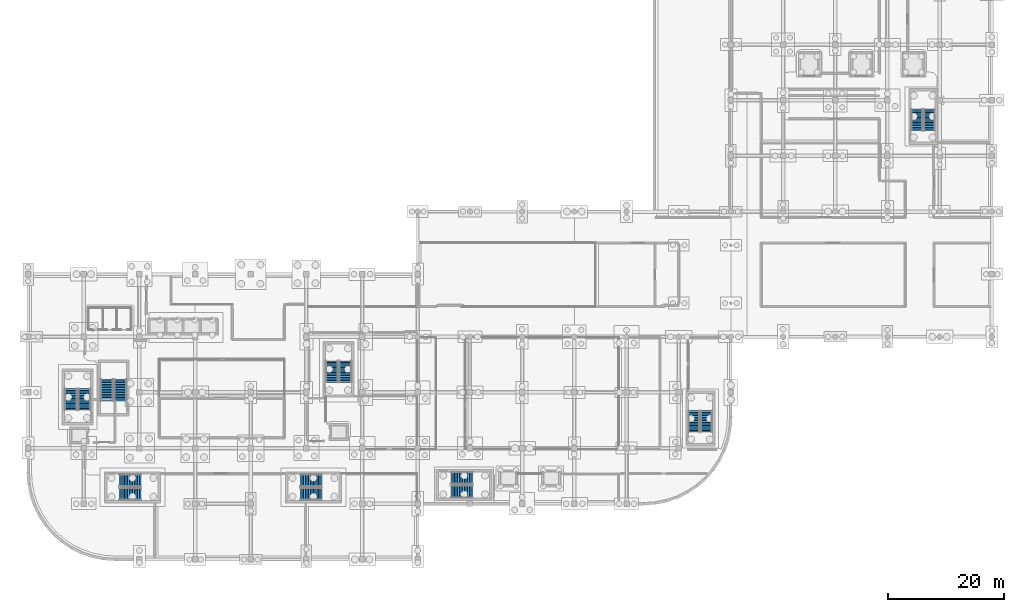
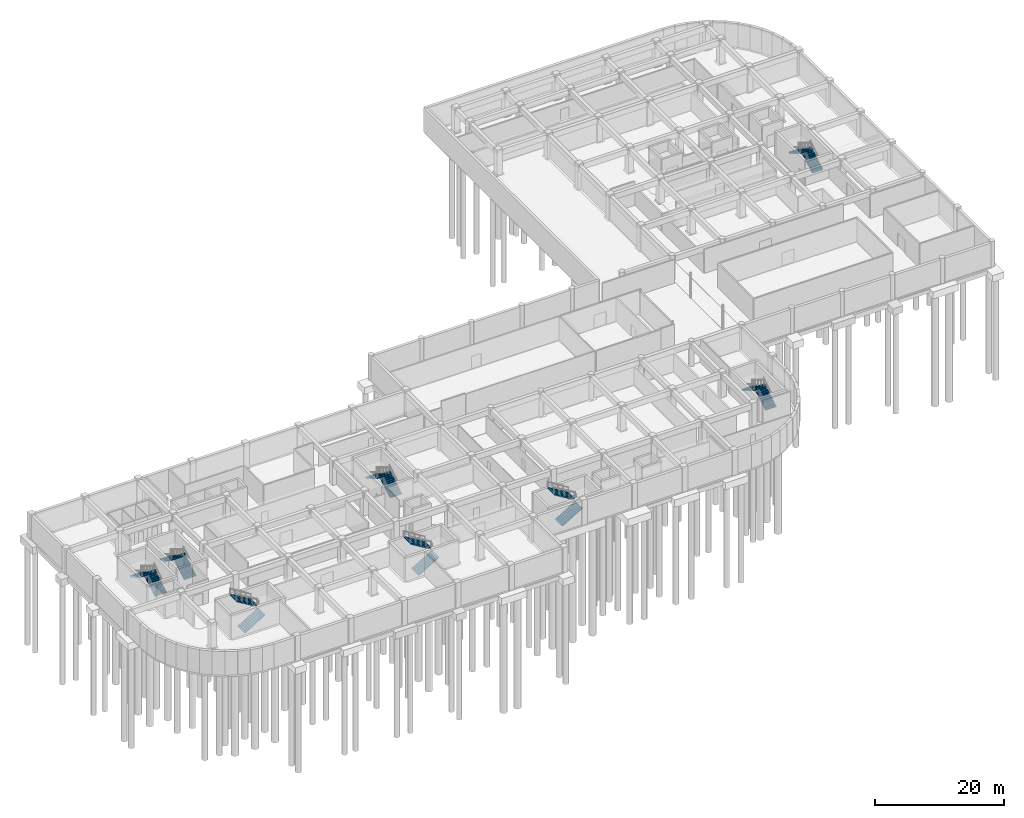
# One storey, part 20 of 47: 16 stair flights, 8 elements without a shape of their own.
"""IFC4 building model written with IfcOpenShell, lengths in metres."""

import ifcopenshell
import ifcopenshell.guid

model = None  # the IFC model being written
_history = None  # IfcOwnerHistory: only IFC2X3 demands one
_inside = {}  # id of a spatial element -> (the spatial element, [elements in it])
_under = {}  # id of a project, library or spatial element -> (it, [spatial elements below it])
_declared = {}  # id of a project -> (the project, [libraries it declares])
_typed = {}  # id of a type object -> (the type object, [elements of that type])
_made_of = {}  # id of a material, layer set ... -> (it, [elements and type objects made of it])


def new_model(schema):
    """Start an empty IFC model of exactly this schema.

    Asked for "IFC4X3", IfcOpenShell would pick the latest addendum, in which some entities
    have other attributes; the version numbers below select the first issue.
    IFC2X3 requires an IfcOwnerHistory on every rooted entity: one is made here for all.
    """
    global model, _history
    if schema == "IFC4X3":
        model = ifcopenshell.file(schema_version=(4, 3, 0, 0))
    else:
        model = ifcopenshell.file(schema=schema)
    _inside.clear()
    _under.clear()
    _declared.clear()
    _typed.clear()
    _made_of.clear()
    _history = None
    if model.schema == "IFC2X3":
        org = make("IfcOrganization", Name="unknown")
        user = make(
            "IfcPersonAndOrganization",
            ThePerson=make("IfcPerson", FamilyName="unknown"),
            TheOrganization=org,
        )
        app = make(
            "IfcApplication",
            ApplicationDeveloper=org,
            Version="unknown",
            ApplicationFullName="unknown",
            ApplicationIdentifier="unknown",
        )
        _history = make(
            "IfcOwnerHistory",
            OwningUser=user,
            OwningApplication=app,
            ChangeAction="ADDED",
            CreationDate=0,
        )
    return model


def make(cls, **values):
    """One entity of the class cls with the attributes given. An attribute that is None is left unset."""
    return model.create_entity(
        cls, **{name: value for name, value in values.items() if value is not None}
    )


def rooted(cls, **values):
    """An entity with a GlobalId (a new one), such as an element, a storey or a relation."""
    return make(cls, GlobalId=ifcopenshell.guid.new(), OwnerHistory=_history, **values)


def si_unit(unit_type, name, prefix=None):
    """IfcSIUnit, for example si_unit("LENGTHUNIT", "METRE", prefix="MILLI")."""
    return make("IfcSIUnit", UnitType=unit_type, Prefix=prefix, Name=name)


def assignment(units):
    """IfcUnitAssignment: the units of a project."""
    return None if units is None else make("IfcUnitAssignment", Units=units)


def point(xyz):
    """IfcCartesianPoint."""
    return None if xyz is None else make("IfcCartesianPoint", Coordinates=xyz)


def direction(xyz):
    """IfcDirection."""
    return None if xyz is None else make("IfcDirection", DirectionRatios=xyz)


def frame(location, z_axis=None, x_axis=None):
    """IfcAxis2Placement3D, a coordinate frame: its origin and axes. An axis left out is left unset."""
    return make(
        "IfcAxis2Placement3D",
        Location=point(location),
        Axis=direction(z_axis),
        RefDirection=direction(x_axis),
    )


def origin():
    """The frame at (0, 0, 0) with its axes left unset."""
    return frame((0.0, 0.0, 0.0))


def place(relative_to, where):
    """IfcLocalPlacement: puts the frame where relative to a parent placement (None: the world)."""
    return make(
        "IfcLocalPlacement", PlacementRelTo=relative_to, RelativePlacement=where
    )


def context(
    kind, dimensions, precision=None, world=None, true_north=None, identifier=None
):
    """IfcGeometricRepresentationContext, for example the 3D "Model" context."""
    return make(
        "IfcGeometricRepresentationContext",
        ContextIdentifier=identifier,
        ContextType=kind,
        CoordinateSpaceDimension=dimensions,
        Precision=precision,
        WorldCoordinateSystem=world,
        TrueNorth=true_north,
    )


def subcontext(parent, identifier, kind, view, scale=None):
    """IfcGeometricRepresentationSubContext, for example "Body" below "Model"."""
    return make(
        "IfcGeometricRepresentationSubContext",
        ContextIdentifier=identifier,
        ContextType=kind,
        ParentContext=parent,
        TargetScale=scale,
        TargetView=view,
    )


def project(units=None, contexts=None):
    """IfcProject with its units and contexts."""
    return rooted(
        "IfcProject",
        Name="project",
        RepresentationContexts=contexts,
        UnitsInContext=assignment(units),
    )


def spatial(cls, under=None, at=None, **own):
    """A site, building, storey or space (cls), placed at a placement, below another one or the project."""
    s = rooted(cls, ObjectPlacement=at, **own)
    if under is not None:
        _under.setdefault(under.id(), (under, []))[1].append(s)
    return s


def polyline(points):
    """IfcPolyline through the points."""
    return make("IfcPolyline", Points=[point(p) for p in points])


def outline(outer, holes=None, kind="AREA"):
    """IfcArbitraryClosedProfileDef: a profile drawn as a closed curve; with holes, ...WithVoids."""
    if holes is None:
        return make("IfcArbitraryClosedProfileDef", ProfileType=kind, OuterCurve=outer)
    return make(
        "IfcArbitraryProfileDefWithVoids",
        ProfileType=kind,
        OuterCurve=outer,
        InnerCurves=holes,
    )


def extrude(swept, where, along, depth):
    """IfcExtrudedAreaSolid: the profile swept, set in the frame where, extruded along a direction by depth."""
    return make(
        "IfcExtrudedAreaSolid",
        SweptArea=swept,
        Position=where,
        ExtrudedDirection=direction(along),
        Depth=depth,
    )


def shape(context_of_items, identifier, shape_type, items):
    """IfcShapeRepresentation: the items that make up one representation, for example the "Body"."""
    return make(
        "IfcShapeRepresentation",
        ContextOfItems=context_of_items,
        RepresentationIdentifier=identifier,
        RepresentationType=shape_type,
        Items=items,
    )


def material(Name=None, Category=None):
    """IfcMaterial."""
    return make("IfcMaterial", Name=Name, Category=Category)


def layer(
    of_material, thickness, ventilated=None, Name=None, Category=None, Priority=None
):
    """IfcMaterialLayer: one layer of a wall or slab, of a material (None: an air gap)."""
    return make(
        "IfcMaterialLayer",
        Material=of_material,
        LayerThickness=thickness,
        IsVentilated=ventilated,
        Name=Name,
        Category=Category,
        Priority=Priority,
    )


def layer_set(layers, Name=None):
    """IfcMaterialLayerSet."""
    return make("IfcMaterialLayerSet", MaterialLayers=layers, LayerSetName=Name)


def made_of(thing, what):
    """Note that an element or type object is made of a material, layer set ...; save() writes the relation."""
    if what is not None:
        _made_of.setdefault(what.id(), (what, []))[1].append(thing)
    return thing


def type_object(cls, material=None, **own):
    """A type object (cls), such as IfcWallType, which elements share."""
    return made_of(rooted(cls, **own), material)


def element(
    cls,
    number,
    at=None,
    inside=None,
    cuts=None,
    type_object=None,
    material=None,
    context=None,
    identifier="Body",
    shape_type=None,
    held_by="IfcProductDefinitionShape",
    body=None,
    shapes=None,
    **own,
):
    """One element of the class cls, such as IfcWall. Its Tag is "e" and its number.

    at: its placement. inside: the storey or other place that contains it. cuts: it is an
    opening in that element (IfcRelVoidsElement). A single representation is given by context,
    identifier, shape_type and body (its items); several are given by shapes. held_by: the class
    of the entity that holds the representations. save() writes the other relations.
    """
    e = rooted(cls, Tag="e%d" % number, ObjectPlacement=at, **own)
    if body is not None:
        shapes = [shape(context, identifier, shape_type, body)]
    if shapes is not None:
        e.Representation = make(held_by, Representations=shapes)
    if inside is not None:
        _inside.setdefault(inside.id(), (inside, []))[1].append(e)
    if cuts is not None:
        rooted(
            "IfcRelVoidsElement", RelatingBuildingElement=cuts, RelatedOpeningElement=e
        )
    if type_object is not None:
        _typed.setdefault(type_object.id(), (type_object, []))[1].append(e)
    return made_of(e, material)


def aggregate(whole, parts):
    """IfcRelAggregates: a whole, such as a stair, and the parts it consists of."""
    return rooted("IfcRelAggregates", RelatingObject=whole, RelatedObjects=parts)


def save(model, path):
    """Write the relations noted so far, then the file.

    IfcRelAggregates (storeys below a building ...), IfcRelContainedInSpatialStructure (elements
    in a storey), IfcRelDefinesByType, IfcRelAssociatesMaterial and IfcRelDeclares: one each for
    every whole, place, type object, material and project.
    """
    for whole, parts in _under.values():
        aggregate(whole, parts)
    for where, things in _inside.values():
        rooted(
            "IfcRelContainedInSpatialStructure",
            RelatedElements=things,
            RelatingStructure=where,
        )
    for kind, things in _typed.values():
        rooted("IfcRelDefinesByType", RelatedObjects=things, RelatingType=kind)
    for what, things in _made_of.values():
        rooted("IfcRelAssociatesMaterial", RelatedObjects=things, RelatingMaterial=what)
    for by, libraries in _declared.values():
        rooted("IfcRelDeclares", RelatingContext=by, RelatedDefinitions=libraries)
    model.write(path)


model = new_model("IFC4")

# Units and contexts
model_context = context("Model", 3, precision=1e-05, world=origin(), true_north=direction((0.0, 1.0)))
body_context = subcontext(model_context, "Body", "Model", "MODEL_VIEW")
ifc_project = project(units=[si_unit("LENGTHUNIT", "METRE"), si_unit("AREAUNIT", "SQUARE_METRE"), si_unit("VOLUMEUNIT", "CUBIC_METRE"), si_unit("PLANEANGLEUNIT", "RADIAN"), si_unit("MASSUNIT", "GRAM", prefix="KILO")], contexts=[model_context])

# Site, building, storey
site_placement = place(None, origin())
site = spatial("IfcSite", under=ifc_project, at=site_placement, CompositionType="ELEMENT")
building_placement = place(site_placement, origin())
building = spatial("IfcBuilding", under=site, at=building_placement, Name="Cendralis Terraced Arcade", CompositionType="ELEMENT")
storey_placement = place(building_placement, frame((0.0, 0.0, -4.800048828125)))
storey = spatial("IfcBuildingStorey", under=building, at=storey_placement, Name="B1", CompositionType="ELEMENT", Elevation=-4.800048828125)

# Stair, stair flights
ifc_material = material(Name="Concrete f'c 35 MPa", Category="concrete")
stair_type_1 = type_object("IfcStairType", Name="STR-W195-H480", PredefinedType="HALF_TURN_STAIR", material=ifc_material)
stair_1_placement = place(storey_placement, origin())
stair_1 = element("IfcStair", 1, at=stair_1_placement, inside=storey, type_object=stair_type_1, Name="B1 Protected Exit Stair ST-06", PredefinedType="HALF_TURN_STAIR")
ifc_layer_1 = layer(ifc_material, 0.159912109375, Name="FLT-W195-H480")
ifc_layer_set_1 = layer_set([ifc_layer_1], Name="Concrete f'c 35 MPa")
stair_flight_type_1 = type_object("IfcStairFlightType", Name="FLT-W195-H480", PredefinedType="STRAIGHT", material=ifc_layer_set_1)
stair_flight_1_placement = place(storey_placement, frame((155.425048828125, 73.949951171875, 0.0), z_axis=(0.0, 0.0, 1.0), x_axis=(0.0, 1.0, 0.0)))
stair_flight_1 = element("IfcStairFlight", 2, at=stair_flight_1_placement, type_object=stair_flight_type_1, Name="ST-06 flight 1", NumberOfRisers=14, NumberOfTreads=13, PredefinedType="STRAIGHT", RiserHeight=0.171428571, TreadLength=0.285, context=body_context, shape_type="SweptSolid", body=[
    extrude(outline(polyline([(0.0, 0.0), (0.0, 0.17138671875), (0.284912109375, 0.17138671875), (0.284912109375, 0.3427734375), (0.570068359375, 0.3427734375), (0.570068359375, 0.514404296875), (0.85498046875, 0.514404296875), (0.85498046875, 0.685791015625), (1.139892578125, 0.685791015625), (1.139892578125, 0.857177734375), (1.425048828125, 0.857177734375), (1.425048828125, 1.028564453125), (1.7099609375, 1.028564453125), (1.7099609375, 1.199951171875), (1.9951171875, 1.199951171875), (1.9951171875, 1.371337890625), (2.280029296875, 1.371337890625), (2.280029296875, 1.54296875), (2.56494140625, 1.54296875), (2.56494140625, 1.71435546875), (2.85009765625, 1.71435546875), (2.85009765625, 1.8857421875), (3.135009765625, 1.8857421875), (3.135009765625, 2.05712890625), (3.419921875, 2.05712890625), (3.419921875, 2.228515625), (3.705078125, 2.228515625), (3.705078125, 2.39990234375), (3.705078125, 2.0537109375), (0.290771484375, 0.0), (0.0, 0.0)])), frame((0.0, 0.97509765625, 0.0), z_axis=(0.0, -1.0, 0.0), x_axis=(1.0, 0.0, 0.0)), (0.0, 0.0, 1.0), 1.949951171875),
])
stair_flight_2_placement = place(storey_placement, frame((153.27490234375, 77.655029296875, 2.400146484375), z_axis=(0.0, 0.0, 1.0), x_axis=(0.0, -1.0, 0.0)))
stair_flight_2 = element("IfcStairFlight", 3, at=stair_flight_2_placement, type_object=stair_flight_type_1, Name="ST-06 flight 2", NumberOfRisers=14, NumberOfTreads=13, PredefinedType="STRAIGHT", RiserHeight=0.171428571, TreadLength=0.285, context=body_context, shape_type="SweptSolid", body=[
    extrude(outline(polyline([(0.0, 0.0), (0.0, 0.17138671875), (0.284912109375, 0.17138671875), (0.284912109375, 0.3427734375), (0.570068359375, 0.3427734375), (0.570068359375, 0.514404296875), (0.85498046875, 0.514404296875), (0.85498046875, 0.685791015625), (1.139892578125, 0.685791015625), (1.139892578125, 0.857177734375), (1.425048828125, 0.857177734375), (1.425048828125, 1.028564453125), (1.7099609375, 1.028564453125), (1.7099609375, 1.199951171875), (1.9951171875, 1.199951171875), (1.9951171875, 1.371337890625), (2.280029296875, 1.371337890625), (2.280029296875, 1.54296875), (2.56494140625, 1.54296875), (2.56494140625, 1.71435546875), (2.85009765625, 1.71435546875), (2.85009765625, 1.8857421875), (3.135009765625, 1.8857421875), (3.135009765625, 2.05712890625), (3.419921875, 2.05712890625), (3.419921875, 2.228515625), (3.705078125, 2.228515625), (3.705078125, 2.39990234375), (3.705078125, 2.0537109375), (0.290771484375, 0.0), (0.0, 0.0)])), frame((0.0, 0.97509765625, 0.0), z_axis=(0.0, -1.0, 0.0), x_axis=(1.0, 0.0, 0.0)), (0.0, 0.0, 1.0), 1.949951171875),
])
aggregate(stair_1, [stair_flight_1, stair_flight_2])

stair_2_placement = place(storey_placement, origin())
stair_2 = element("IfcStair", 4, at=stair_2_placement, inside=storey, type_object=stair_type_1, Name="B1 Protected Exit Stair ST-09", PredefinedType="HALF_TURN_STAIR")
stair_flight_3_placement = place(storey_placement, frame((117.02490234375, 21.949951171875, 0.0), z_axis=(0.0, 0.0, 1.0), x_axis=(0.0, 1.0, 0.0)))
stair_flight_3 = element("IfcStairFlight", 5, at=stair_flight_3_placement, type_object=stair_flight_type_1, Name="ST-09 flight 1", NumberOfRisers=14, NumberOfTreads=13, PredefinedType="STRAIGHT", RiserHeight=0.171428571, TreadLength=0.285, context=body_context, shape_type="SweptSolid", body=[
    extrude(outline(polyline([(0.0, 0.0), (0.0, 0.17138671875), (0.284912109375, 0.17138671875), (0.284912109375, 0.3427734375), (0.570068359375, 0.3427734375), (0.570068359375, 0.514404296875), (0.85498046875, 0.514404296875), (0.85498046875, 0.685791015625), (1.139892578125, 0.685791015625), (1.139892578125, 0.857177734375), (1.425048828125, 0.857177734375), (1.425048828125, 1.028564453125), (1.7099609375, 1.028564453125), (1.7099609375, 1.199951171875), (1.9951171875, 1.199951171875), (1.9951171875, 1.371337890625), (2.280029296875, 1.371337890625), (2.280029296875, 1.54296875), (2.56494140625, 1.54296875), (2.56494140625, 1.71435546875), (2.85009765625, 1.71435546875), (2.85009765625, 1.8857421875), (3.135009765625, 1.8857421875), (3.135009765625, 2.05712890625), (3.419921875, 2.05712890625), (3.419921875, 2.228515625), (3.705078125, 2.228515625), (3.705078125, 2.39990234375), (3.705078125, 2.0537109375), (0.290771484375, 0.0), (0.0, 0.0)])), frame((0.0, 0.97509765625, 0.0), z_axis=(0.0, -1.0, 0.0), x_axis=(1.0, 0.0, 0.0)), (0.0, 0.0, 1.0), 1.949951171875),
])
stair_flight_4_placement = place(storey_placement, frame((114.875, 25.655029296875, 2.400146484375), z_axis=(0.0, 0.0, 1.0), x_axis=(0.0, -1.0, 0.0)))
stair_flight_4 = element("IfcStairFlight", 6, at=stair_flight_4_placement, type_object=stair_flight_type_1, Name="ST-09 flight 2", NumberOfRisers=14, NumberOfTreads=13, PredefinedType="STRAIGHT", RiserHeight=0.171428571, TreadLength=0.285, context=body_context, shape_type="SweptSolid", body=[
    extrude(outline(polyline([(0.0, 0.0), (0.0, 0.17138671875), (0.284912109375, 0.17138671875), (0.284912109375, 0.3427734375), (0.570068359375, 0.3427734375), (0.570068359375, 0.514404296875), (0.85498046875, 0.514404296875), (0.85498046875, 0.685791015625), (1.139892578125, 0.685791015625), (1.139892578125, 0.857177734375), (1.425048828125, 0.857177734375), (1.425048828125, 1.028564453125), (1.7099609375, 1.028564453125), (1.7099609375, 1.199951171875), (1.9951171875, 1.199951171875), (1.9951171875, 1.371337890625), (2.280029296875, 1.371337890625), (2.280029296875, 1.54296875), (2.56494140625, 1.54296875), (2.56494140625, 1.71435546875), (2.85009765625, 1.71435546875), (2.85009765625, 1.8857421875), (3.135009765625, 1.8857421875), (3.135009765625, 2.05712890625), (3.419921875, 2.05712890625), (3.419921875, 2.228515625), (3.705078125, 2.228515625), (3.705078125, 2.39990234375), (3.705078125, 2.0537109375), (0.290771484375, 0.0), (0.0, 0.0)])), frame((0.0, 0.97509765625, 0.0), z_axis=(0.0, -1.0, 0.0), x_axis=(1.0, 0.0, 0.0)), (0.0, 0.0, 1.0), 1.949951171875),
])
aggregate(stair_2, [stair_flight_3, stair_flight_4])

stair_type_2 = type_object("IfcStairType", Name="STR-W215-H480", PredefinedType="HALF_TURN_STAIR", material=ifc_material)
stair_3_placement = place(storey_placement, origin())
stair_3 = element("IfcStair", 7, at=stair_3_placement, inside=storey, type_object=stair_type_2, Name="B1 Protected Exit Stair ST-01", PredefinedType="HALF_TURN_STAIR")
ifc_layer_2 = layer(ifc_material, 0.159912109375, Name="FLT-W215-H480")
ifc_layer_set_2 = layer_set([ifc_layer_2], Name="Concrete f'c 35 MPa")
stair_flight_type_2 = type_object("IfcStairFlightType", Name="FLT-W215-H480", PredefinedType="STRAIGHT", material=ifc_layer_set_2)
stair_flight_5_placement = place(storey_placement, frame((9.72509765625, 25.75, 0.0), z_axis=(0.0, 0.0, 1.0), x_axis=(0.0, 1.0, 0.0)))
stair_flight_5 = element("IfcStairFlight", 8, at=stair_flight_5_placement, type_object=stair_flight_type_2, Name="ST-01 flight 1", NumberOfRisers=14, NumberOfTreads=13, PredefinedType="STRAIGHT", RiserHeight=0.171428571, TreadLength=0.285, context=body_context, shape_type="SweptSolid", body=[
    extrude(outline(polyline([(0.0, 0.0), (0.0, 0.17138671875), (0.284912109375, 0.17138671875), (0.284912109375, 0.3427734375), (0.570068359375, 0.3427734375), (0.570068359375, 0.514404296875), (0.85498046875, 0.514404296875), (0.85498046875, 0.685791015625), (1.139892578125, 0.685791015625), (1.139892578125, 0.857177734375), (1.425048828125, 0.857177734375), (1.425048828125, 1.028564453125), (1.7099609375, 1.028564453125), (1.7099609375, 1.199951171875), (1.9951171875, 1.199951171875), (1.9951171875, 1.371337890625), (2.280029296875, 1.371337890625), (2.280029296875, 1.54296875), (2.56494140625, 1.54296875), (2.56494140625, 1.71435546875), (2.85009765625, 1.71435546875), (2.85009765625, 1.8857421875), (3.135009765625, 1.8857421875), (3.135009765625, 2.05712890625), (3.419921875, 2.05712890625), (3.419921875, 2.228515625), (3.705078125, 2.228515625), (3.705078125, 2.39990234375), (3.705078125, 2.0537109375), (0.290771484375, 0.0), (0.0, 0.0)])), frame((0.0, 1.074951171875, 0.0), z_axis=(0.0, -1.0, 0.0), x_axis=(1.0, 0.0, 0.0)), (0.0, 0.0, 1.0), 2.14990234375),
])
stair_flight_6_placement = place(storey_placement, frame((7.375, 29.455078125, 2.400146484375), z_axis=(0.0, 0.0, 1.0), x_axis=(0.0, -1.0, 0.0)))
stair_flight_6 = element("IfcStairFlight", 9, at=stair_flight_6_placement, type_object=stair_flight_type_2, Name="ST-01 flight 2", NumberOfRisers=14, NumberOfTreads=13, PredefinedType="STRAIGHT", RiserHeight=0.171428571, TreadLength=0.285, context=body_context, shape_type="SweptSolid", body=[
    extrude(outline(polyline([(0.0, 0.0), (0.0, 0.17138671875), (0.284912109375, 0.17138671875), (0.284912109375, 0.3427734375), (0.570068359375, 0.3427734375), (0.570068359375, 0.514404296875), (0.85498046875, 0.514404296875), (0.85498046875, 0.685791015625), (1.139892578125, 0.685791015625), (1.139892578125, 0.857177734375), (1.425048828125, 0.857177734375), (1.425048828125, 1.028564453125), (1.7099609375, 1.028564453125), (1.7099609375, 1.199951171875), (1.9951171875, 1.199951171875), (1.9951171875, 1.371337890625), (2.280029296875, 1.371337890625), (2.280029296875, 1.54296875), (2.56494140625, 1.54296875), (2.56494140625, 1.71435546875), (2.85009765625, 1.71435546875), (2.85009765625, 1.8857421875), (3.135009765625, 1.8857421875), (3.135009765625, 2.05712890625), (3.419921875, 2.05712890625), (3.419921875, 2.228515625), (3.705078125, 2.228515625), (3.705078125, 2.39990234375), (3.705078125, 2.0537109375), (0.290771484375, 0.0), (0.0, 0.0)])), frame((0.0, 1.074951171875, 0.0), z_axis=(0.0, -1.0, 0.0), x_axis=(1.0, 0.0, 0.0)), (0.0, 0.0, 1.0), 2.14990234375),
])
aggregate(stair_3, [stair_flight_5, stair_flight_6])

stair_4_placement = place(storey_placement, origin())
stair_4 = element("IfcStair", 10, at=stair_4_placement, inside=storey, type_object=stair_type_2, Name="B1 Protected Exit Stair ST-02", PredefinedType="HALF_TURN_STAIR")
stair_flight_7_placement = place(storey_placement, frame((15.75, 11.27490234375, 0.0), z_axis=(0.0, 0.0, 1.0), x_axis=(1.0, 0.0, 0.0)))
stair_flight_7 = element("IfcStairFlight", 11, at=stair_flight_7_placement, type_object=stair_flight_type_2, Name="ST-02 flight 1", NumberOfRisers=14, NumberOfTreads=13, PredefinedType="STRAIGHT", RiserHeight=0.171428571, TreadLength=0.285, context=body_context, shape_type="SweptSolid", body=[
    extrude(outline(polyline([(0.0, 0.0), (0.0, 0.17138671875), (0.284912109375, 0.17138671875), (0.284912109375, 0.3427734375), (0.570068359375, 0.3427734375), (0.570068359375, 0.514404296875), (0.85498046875, 0.514404296875), (0.85498046875, 0.685791015625), (1.139892578125, 0.685791015625), (1.139892578125, 0.857177734375), (1.425048828125, 0.857177734375), (1.425048828125, 1.028564453125), (1.7099609375, 1.028564453125), (1.7099609375, 1.199951171875), (1.9951171875, 1.199951171875), (1.9951171875, 1.371337890625), (2.280029296875, 1.371337890625), (2.280029296875, 1.54296875), (2.56494140625, 1.54296875), (2.56494140625, 1.71435546875), (2.85009765625, 1.71435546875), (2.85009765625, 1.8857421875), (3.135009765625, 1.8857421875), (3.135009765625, 2.05712890625), (3.419921875, 2.05712890625), (3.419921875, 2.228515625), (3.705078125, 2.228515625), (3.705078125, 2.39990234375), (3.705078125, 2.0537109375), (0.290771484375, 0.0), (0.0, 0.0)])), frame((0.0, 1.074951171875, 0.0), z_axis=(0.0, -1.0, 0.0), x_axis=(1.0, 0.0, 0.0)), (0.0, 0.0, 1.0), 2.14990234375),
])
stair_flight_8_placement = place(storey_placement, frame((19.455078125, 13.625, 2.400146484375), z_axis=(0.0, 0.0, 1.0), x_axis=(-1.0, 0.0, 0.0)))
stair_flight_8 = element("IfcStairFlight", 12, at=stair_flight_8_placement, type_object=stair_flight_type_2, Name="ST-02 flight 2", NumberOfRisers=14, NumberOfTreads=13, PredefinedType="STRAIGHT", RiserHeight=0.171428571, TreadLength=0.285, context=body_context, shape_type="SweptSolid", body=[
    extrude(outline(polyline([(0.0, 0.0), (0.0, 0.17138671875), (0.284912109375, 0.17138671875), (0.284912109375, 0.3427734375), (0.570068359375, 0.3427734375), (0.570068359375, 0.514404296875), (0.85498046875, 0.514404296875), (0.85498046875, 0.685791015625), (1.139892578125, 0.685791015625), (1.139892578125, 0.857177734375), (1.425048828125, 0.857177734375), (1.425048828125, 1.028564453125), (1.7099609375, 1.028564453125), (1.7099609375, 1.199951171875), (1.9951171875, 1.199951171875), (1.9951171875, 1.371337890625), (2.280029296875, 1.371337890625), (2.280029296875, 1.54296875), (2.56494140625, 1.54296875), (2.56494140625, 1.71435546875), (2.85009765625, 1.71435546875), (2.85009765625, 1.8857421875), (3.135009765625, 1.8857421875), (3.135009765625, 2.05712890625), (3.419921875, 2.05712890625), (3.419921875, 2.228515625), (3.705078125, 2.228515625), (3.705078125, 2.39990234375), (3.705078125, 2.0537109375), (0.290771484375, 0.0), (0.0, 0.0)])), frame((0.0, 1.074951171875, 0.0), z_axis=(0.0, -1.0, 0.0), x_axis=(1.0, 0.0, 0.0)), (0.0, 0.0, 1.0), 2.14990234375),
])
aggregate(stair_4, [stair_flight_7, stair_flight_8])

stair_5_placement = place(storey_placement, origin())
stair_5 = element("IfcStair", 13, at=stair_5_placement, inside=storey, type_object=stair_type_2, Name="B1 Protected Exit Stair ST-03", PredefinedType="HALF_TURN_STAIR")
stair_flight_9_placement = place(storey_placement, frame((46.949951171875, 11.27490234375, 0.0), z_axis=(0.0, 0.0, 1.0), x_axis=(1.0, 0.0, 0.0)))
stair_flight_9 = element("IfcStairFlight", 14, at=stair_flight_9_placement, type_object=stair_flight_type_2, Name="ST-03 flight 1", NumberOfRisers=14, NumberOfTreads=13, PredefinedType="STRAIGHT", RiserHeight=0.171428571, TreadLength=0.285, context=body_context, shape_type="SweptSolid", body=[
    extrude(outline(polyline([(0.0, 0.0), (0.0, 0.17138671875), (0.284912109375, 0.17138671875), (0.284912109375, 0.3427734375), (0.570068359375, 0.3427734375), (0.570068359375, 0.514404296875), (0.85498046875, 0.514404296875), (0.85498046875, 0.685791015625), (1.139892578125, 0.685791015625), (1.139892578125, 0.857177734375), (1.425048828125, 0.857177734375), (1.425048828125, 1.028564453125), (1.7099609375, 1.028564453125), (1.7099609375, 1.199951171875), (1.9951171875, 1.199951171875), (1.9951171875, 1.371337890625), (2.280029296875, 1.371337890625), (2.280029296875, 1.54296875), (2.56494140625, 1.54296875), (2.56494140625, 1.71435546875), (2.85009765625, 1.71435546875), (2.85009765625, 1.8857421875), (3.135009765625, 1.8857421875), (3.135009765625, 2.05712890625), (3.419921875, 2.05712890625), (3.419921875, 2.228515625), (3.705078125, 2.228515625), (3.705078125, 2.39990234375), (3.705078125, 2.0537109375), (0.290771484375, 0.0), (0.0, 0.0)])), frame((0.0, 1.074951171875, 0.0), z_axis=(0.0, -1.0, 0.0), x_axis=(1.0, 0.0, 0.0)), (0.0, 0.0, 1.0), 2.14990234375),
])
stair_flight_10_placement = place(storey_placement, frame((50.655029296875, 13.625, 2.400146484375), z_axis=(0.0, 0.0, 1.0), x_axis=(-1.0, 0.0, 0.0)))
stair_flight_10 = element("IfcStairFlight", 15, at=stair_flight_10_placement, type_object=stair_flight_type_2, Name="ST-03 flight 2", NumberOfRisers=14, NumberOfTreads=13, PredefinedType="STRAIGHT", RiserHeight=0.171428571, TreadLength=0.285, context=body_context, shape_type="SweptSolid", body=[
    extrude(outline(polyline([(0.0, 0.0), (0.0, 0.17138671875), (0.284912109375, 0.17138671875), (0.284912109375, 0.3427734375), (0.570068359375, 0.3427734375), (0.570068359375, 0.514404296875), (0.85498046875, 0.514404296875), (0.85498046875, 0.685791015625), (1.139892578125, 0.685791015625), (1.139892578125, 0.857177734375), (1.425048828125, 0.857177734375), (1.425048828125, 1.028564453125), (1.7099609375, 1.028564453125), (1.7099609375, 1.199951171875), (1.9951171875, 1.199951171875), (1.9951171875, 1.371337890625), (2.280029296875, 1.371337890625), (2.280029296875, 1.54296875), (2.56494140625, 1.54296875), (2.56494140625, 1.71435546875), (2.85009765625, 1.71435546875), (2.85009765625, 1.8857421875), (3.135009765625, 1.8857421875), (3.135009765625, 2.05712890625), (3.419921875, 2.05712890625), (3.419921875, 2.228515625), (3.705078125, 2.228515625), (3.705078125, 2.39990234375), (3.705078125, 2.0537109375), (0.290771484375, 0.0), (0.0, 0.0)])), frame((0.0, 1.074951171875, 0.0), z_axis=(0.0, -1.0, 0.0), x_axis=(1.0, 0.0, 0.0)), (0.0, 0.0, 1.0), 2.14990234375),
])
aggregate(stair_5, [stair_flight_9, stair_flight_10])

stair_6_placement = place(storey_placement, origin())
stair_6 = element("IfcStair", 16, at=stair_6_placement, inside=storey, type_object=stair_type_2, Name="B1 Protected Exit Stair ST-04", PredefinedType="HALF_TURN_STAIR")
stair_flight_11_placement = place(storey_placement, frame((54.72509765625, 30.550048828125, 0.0), z_axis=(0.0, 0.0, 1.0), x_axis=(0.0, 1.0, 0.0)))
stair_flight_11 = element("IfcStairFlight", 17, at=stair_flight_11_placement, type_object=stair_flight_type_2, Name="ST-04 flight 1", NumberOfRisers=14, NumberOfTreads=13, PredefinedType="STRAIGHT", RiserHeight=0.171428571, TreadLength=0.285, context=body_context, shape_type="SweptSolid", body=[
    extrude(outline(polyline([(0.0, 0.0), (0.0, 0.17138671875), (0.284912109375, 0.17138671875), (0.284912109375, 0.3427734375), (0.570068359375, 0.3427734375), (0.570068359375, 0.514404296875), (0.85498046875, 0.514404296875), (0.85498046875, 0.685791015625), (1.139892578125, 0.685791015625), (1.139892578125, 0.857177734375), (1.425048828125, 0.857177734375), (1.425048828125, 1.028564453125), (1.7099609375, 1.028564453125), (1.7099609375, 1.199951171875), (1.9951171875, 1.199951171875), (1.9951171875, 1.371337890625), (2.280029296875, 1.371337890625), (2.280029296875, 1.54296875), (2.56494140625, 1.54296875), (2.56494140625, 1.71435546875), (2.85009765625, 1.71435546875), (2.85009765625, 1.8857421875), (3.135009765625, 1.8857421875), (3.135009765625, 2.05712890625), (3.419921875, 2.05712890625), (3.419921875, 2.228515625), (3.705078125, 2.228515625), (3.705078125, 2.39990234375), (3.705078125, 2.0537109375), (0.290771484375, 0.0), (0.0, 0.0)])), frame((0.0, 1.074951171875, 0.0), z_axis=(0.0, -1.0, 0.0), x_axis=(1.0, 0.0, 0.0)), (0.0, 0.0, 1.0), 2.14990234375),
])
stair_flight_12_placement = place(storey_placement, frame((52.375, 34.2548828125, 2.400146484375), z_axis=(0.0, 0.0, 1.0), x_axis=(0.0, -1.0, 0.0)))
stair_flight_12 = element("IfcStairFlight", 18, at=stair_flight_12_placement, type_object=stair_flight_type_2, Name="ST-04 flight 2", NumberOfRisers=14, NumberOfTreads=13, PredefinedType="STRAIGHT", RiserHeight=0.171428571, TreadLength=0.285, context=body_context, shape_type="SweptSolid", body=[
    extrude(outline(polyline([(0.0, 0.0), (0.0, 0.17138671875), (0.284912109375, 0.17138671875), (0.284912109375, 0.3427734375), (0.570068359375, 0.3427734375), (0.570068359375, 0.514404296875), (0.85498046875, 0.514404296875), (0.85498046875, 0.685791015625), (1.139892578125, 0.685791015625), (1.139892578125, 0.857177734375), (1.425048828125, 0.857177734375), (1.425048828125, 1.028564453125), (1.7099609375, 1.028564453125), (1.7099609375, 1.199951171875), (1.9951171875, 1.199951171875), (1.9951171875, 1.371337890625), (2.280029296875, 1.371337890625), (2.280029296875, 1.54296875), (2.56494140625, 1.54296875), (2.56494140625, 1.71435546875), (2.85009765625, 1.71435546875), (2.85009765625, 1.8857421875), (3.135009765625, 1.8857421875), (3.135009765625, 2.05712890625), (3.419921875, 2.05712890625), (3.419921875, 2.228515625), (3.705078125, 2.228515625), (3.705078125, 2.39990234375), (3.705078125, 2.0537109375), (0.290771484375, 0.0), (0.0, 0.0)])), frame((0.0, 1.074951171875, 0.0), z_axis=(0.0, -1.0, 0.0), x_axis=(1.0, 0.0, 0.0)), (0.0, 0.0, 1.0), 2.14990234375),
])
aggregate(stair_6, [stair_flight_11, stair_flight_12])

stair_7_placement = place(storey_placement, origin())
stair_7 = element("IfcStair", 19, at=stair_7_placement, inside=storey, type_object=stair_type_2, Name="B1 Protected Exit Stair ST-05", PredefinedType="HALF_TURN_STAIR")
stair_flight_13_placement = place(storey_placement, frame((15.925048828125, 27.35009765625, 0.0), z_axis=(0.0, 0.0, 1.0), x_axis=(0.0, 1.0, 0.0)))
stair_flight_13 = element("IfcStairFlight", 20, at=stair_flight_13_placement, type_object=stair_flight_type_2, Name="ST-05 flight 1", NumberOfRisers=14, NumberOfTreads=13, PredefinedType="STRAIGHT", RiserHeight=0.171428571, TreadLength=0.285, context=body_context, shape_type="SweptSolid", body=[
    extrude(outline(polyline([(0.0, 0.0), (0.0, 0.17138671875), (0.284912109375, 0.17138671875), (0.284912109375, 0.3427734375), (0.570068359375, 0.3427734375), (0.570068359375, 0.514404296875), (0.85498046875, 0.514404296875), (0.85498046875, 0.685791015625), (1.139892578125, 0.685791015625), (1.139892578125, 0.857177734375), (1.425048828125, 0.857177734375), (1.425048828125, 1.028564453125), (1.7099609375, 1.028564453125), (1.7099609375, 1.199951171875), (1.9951171875, 1.199951171875), (1.9951171875, 1.371337890625), (2.280029296875, 1.371337890625), (2.280029296875, 1.54296875), (2.56494140625, 1.54296875), (2.56494140625, 1.71435546875), (2.85009765625, 1.71435546875), (2.85009765625, 1.8857421875), (3.135009765625, 1.8857421875), (3.135009765625, 2.05712890625), (3.419921875, 2.05712890625), (3.419921875, 2.228515625), (3.705078125, 2.228515625), (3.705078125, 2.39990234375), (3.705078125, 2.0537109375), (0.290771484375, 0.0), (0.0, 0.0)])), frame((0.0, 1.074951171875, 0.0), z_axis=(0.0, -1.0, 0.0), x_axis=(1.0, 0.0, 0.0)), (0.0, 0.0, 1.0), 2.14990234375),
])
stair_flight_14_placement = place(storey_placement, frame((13.574951171875, 31.054931640625, 2.400146484375), z_axis=(0.0, 0.0, 1.0), x_axis=(0.0, -1.0, 0.0)))
stair_flight_14 = element("IfcStairFlight", 21, at=stair_flight_14_placement, type_object=stair_flight_type_2, Name="ST-05 flight 2", NumberOfRisers=14, NumberOfTreads=13, PredefinedType="STRAIGHT", RiserHeight=0.171428571, TreadLength=0.285, context=body_context, shape_type="SweptSolid", body=[
    extrude(outline(polyline([(0.0, 0.0), (0.0, 0.17138671875), (0.284912109375, 0.17138671875), (0.284912109375, 0.3427734375), (0.570068359375, 0.3427734375), (0.570068359375, 0.514404296875), (0.85498046875, 0.514404296875), (0.85498046875, 0.685791015625), (1.139892578125, 0.685791015625), (1.139892578125, 0.857177734375), (1.425048828125, 0.857177734375), (1.425048828125, 1.028564453125), (1.7099609375, 1.028564453125), (1.7099609375, 1.199951171875), (1.9951171875, 1.199951171875), (1.9951171875, 1.371337890625), (2.280029296875, 1.371337890625), (2.280029296875, 1.54296875), (2.56494140625, 1.54296875), (2.56494140625, 1.71435546875), (2.85009765625, 1.71435546875), (2.85009765625, 1.8857421875), (3.135009765625, 1.8857421875), (3.135009765625, 2.05712890625), (3.419921875, 2.05712890625), (3.419921875, 2.228515625), (3.705078125, 2.228515625), (3.705078125, 2.39990234375), (3.705078125, 2.0537109375), (0.290771484375, 0.0), (0.0, 0.0)])), frame((0.0, 1.074951171875, 0.0), z_axis=(0.0, -1.0, 0.0), x_axis=(1.0, 0.0, 0.0)), (0.0, 0.0, 1.0), 2.14990234375),
])
aggregate(stair_7, [stair_flight_13, stair_flight_14])

stair_8_placement = place(storey_placement, origin())
stair_8 = element("IfcStair", 22, at=stair_8_placement, inside=storey, type_object=stair_type_2, Name="B1 Protected Exit Stair ST-08", PredefinedType="HALF_TURN_STAIR")
stair_flight_15_placement = place(storey_placement, frame((72.949951171875, 11.675048828125, 0.0), z_axis=(0.0, 0.0, 1.0), x_axis=(1.0, 0.0, 0.0)))
stair_flight_15 = element("IfcStairFlight", 23, at=stair_flight_15_placement, type_object=stair_flight_type_2, Name="ST-08 flight 1", NumberOfRisers=14, NumberOfTreads=13, PredefinedType="STRAIGHT", RiserHeight=0.171428571, TreadLength=0.285, context=body_context, shape_type="SweptSolid", body=[
    extrude(outline(polyline([(0.0, 0.0), (0.0, 0.17138671875), (0.284912109375, 0.17138671875), (0.284912109375, 0.3427734375), (0.570068359375, 0.3427734375), (0.570068359375, 0.514404296875), (0.85498046875, 0.514404296875), (0.85498046875, 0.685791015625), (1.139892578125, 0.685791015625), (1.139892578125, 0.857177734375), (1.425048828125, 0.857177734375), (1.425048828125, 1.028564453125), (1.7099609375, 1.028564453125), (1.7099609375, 1.199951171875), (1.9951171875, 1.199951171875), (1.9951171875, 1.371337890625), (2.280029296875, 1.371337890625), (2.280029296875, 1.54296875), (2.56494140625, 1.54296875), (2.56494140625, 1.71435546875), (2.85009765625, 1.71435546875), (2.85009765625, 1.8857421875), (3.135009765625, 1.8857421875), (3.135009765625, 2.05712890625), (3.419921875, 2.05712890625), (3.419921875, 2.228515625), (3.705078125, 2.228515625), (3.705078125, 2.39990234375), (3.705078125, 2.0537109375), (0.290771484375, 0.0), (0.0, 0.0)])), frame((0.0, 1.074951171875, 0.0), z_axis=(0.0, -1.0, 0.0), x_axis=(1.0, 0.0, 0.0)), (0.0, 0.0, 1.0), 2.14990234375),
])
stair_flight_16_placement = place(storey_placement, frame((76.655029296875, 14.02490234375, 2.400146484375), z_axis=(0.0, 0.0, 1.0), x_axis=(-1.0, 0.0, 0.0)))
stair_flight_16 = element("IfcStairFlight", 24, at=stair_flight_16_placement, type_object=stair_flight_type_2, Name="ST-08 flight 2", NumberOfRisers=14, NumberOfTreads=13, PredefinedType="STRAIGHT", RiserHeight=0.171428571, TreadLength=0.285, context=body_context, shape_type="SweptSolid", body=[
    extrude(outline(polyline([(0.0, 0.0), (0.0, 0.17138671875), (0.284912109375, 0.17138671875), (0.284912109375, 0.3427734375), (0.570068359375, 0.3427734375), (0.570068359375, 0.514404296875), (0.85498046875, 0.514404296875), (0.85498046875, 0.685791015625), (1.139892578125, 0.685791015625), (1.139892578125, 0.857177734375), (1.425048828125, 0.857177734375), (1.425048828125, 1.028564453125), (1.7099609375, 1.028564453125), (1.7099609375, 1.199951171875), (1.9951171875, 1.199951171875), (1.9951171875, 1.371337890625), (2.280029296875, 1.371337890625), (2.280029296875, 1.54296875), (2.56494140625, 1.54296875), (2.56494140625, 1.71435546875), (2.85009765625, 1.71435546875), (2.85009765625, 1.8857421875), (3.135009765625, 1.8857421875), (3.135009765625, 2.05712890625), (3.419921875, 2.05712890625), (3.419921875, 2.228515625), (3.705078125, 2.228515625), (3.705078125, 2.39990234375), (3.705078125, 2.0537109375), (0.290771484375, 0.0), (0.0, 0.0)])), frame((0.0, 1.074951171875, 0.0), z_axis=(0.0, -1.0, 0.0), x_axis=(1.0, 0.0, 0.0)), (0.0, 0.0, 1.0), 2.14990234375),
])
aggregate(stair_8, [stair_flight_15, stair_flight_16])

save(model, "model.ifc")
